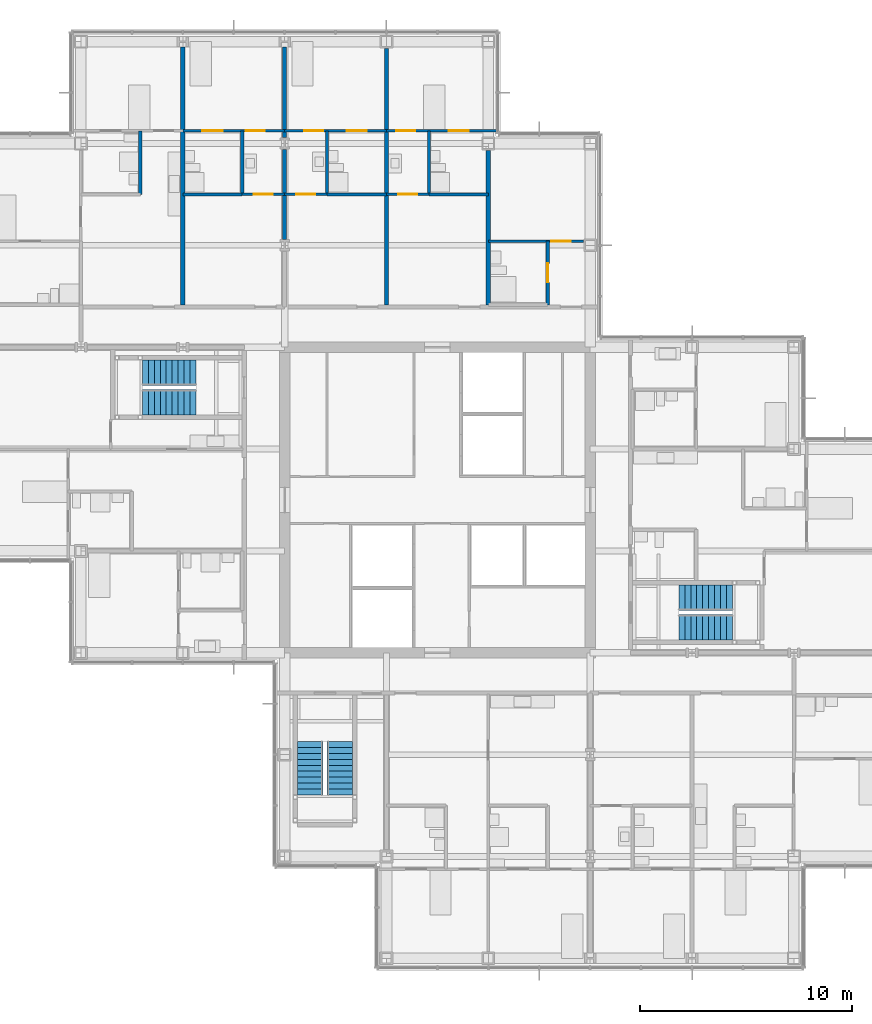
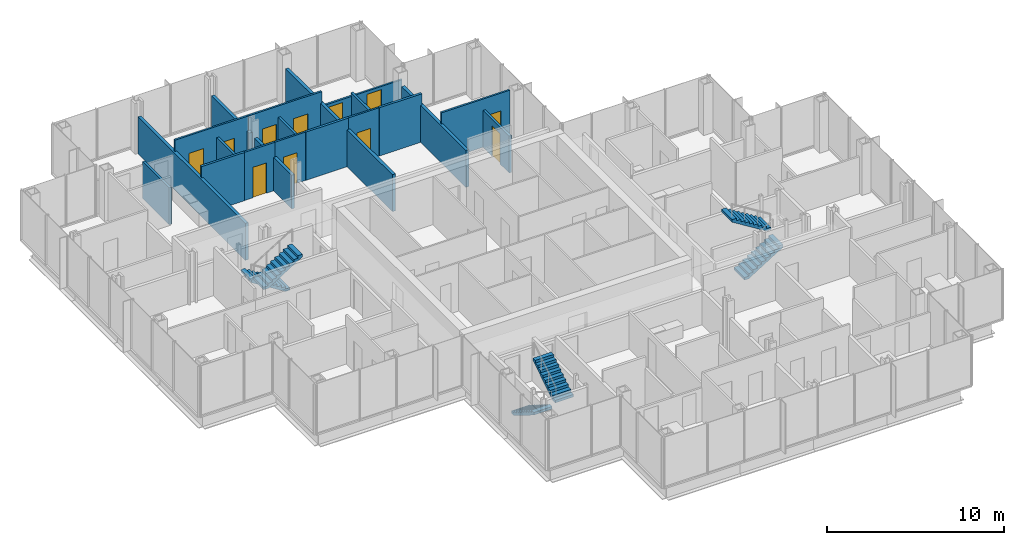
# One storey, part 17 of 20: 20 walls, 11 doors, 6 stair flights, 11 openings, 3 elements without a shape of their own.
"""IFC4 building model written with IfcOpenShell, lengths in metres."""

from ifc_helpers import new_model, si_unit, direction, frame, frame_2d, origin, place, context, subcontext, project, spatial, polyline, rectangle, outline, extrude, material, layer, layer_set, type_object, element, fill, aggregate, save


model = new_model("IFC4")

# Units and contexts
model_context = context("Model", 3, precision=1e-05, world=origin(), true_north=direction((0.0, 1.0)))
body_context = subcontext(model_context, "Body", "Model", "MODEL_VIEW")
ifc_project = project(units=[si_unit("LENGTHUNIT", "METRE"), si_unit("AREAUNIT", "SQUARE_METRE"), si_unit("VOLUMEUNIT", "CUBIC_METRE"), si_unit("PLANEANGLEUNIT", "RADIAN"), si_unit("MASSUNIT", "GRAM", prefix="KILO")], contexts=[model_context])

# Site, building, storey
site_placement = place(None, origin())
site = spatial("IfcSite", under=ifc_project, at=site_placement, CompositionType="ELEMENT")
building_placement = place(site_placement, origin())
building = spatial("IfcBuilding", under=site, at=building_placement, Name="Kvirike Care Tower", CompositionType="ELEMENT")
storey_placement = place(building_placement, frame((0.0, 0.0, 115.5)))
storey = spatial("IfcBuildingStorey", under=building, at=storey_placement, Name="L31", CompositionType="ELEMENT", Elevation=115.5)

# Walls
ifc_material_1 = material(Name="Moisture-resistant board partition", Category="gypsum")
ifc_layer_1 = layer(ifc_material_1, 0.14990234375)
ifc_layer_set_1 = layer_set([ifc_layer_1], Name="BATHROOM WALL 150")
wall_type_1 = type_object("IfcWallType", Name="BATHROOM WALL 150", PredefinedType="PARTITIONING", material=ifc_layer_set_1)
wall_1_placement = place(storey_placement, frame((12.39990234375, 53.39990234375, 0.0), z_axis=(0.0, 0.0, 1.0), x_axis=(0.0, -1.0, 0.0)))
element("IfcWall", 1, at=wall_1_placement, inside=storey, type_object=wall_type_1, Name="Bathroom Wall 150 L31", PredefinedType="PARTITIONING", context=body_context, shape_type="SweptSolid", body=[
    extrude(rectangle(XDim=3.0, YDim=0.14990234375, at=frame_2d((1.5, 0.0))), origin(), (0.0, 0.0, 1.0), 2.550048828125),
])
wall_2_placement = place(storey_placement, frame((12.39990234375, 50.39990234375, 0.0), z_axis=(0.0, 0.0, 1.0), x_axis=(-1.0, 0.0, 0.0)))
element("IfcWall", 2, at=wall_2_placement, inside=storey, type_object=wall_type_1, Name="Bathroom Wall 150 L31", PredefinedType="PARTITIONING", context=body_context, shape_type="SweptSolid", body=[
    extrude(rectangle(XDim=2.7998046875, YDim=0.14990234375, at=frame_2d((1.39990234375, 0.0))), origin(), (0.0, 0.0, 1.0), 3.330078125),
])
wall_3_placement = place(storey_placement, frame((7.60009765625, 53.39990234375, 0.0), z_axis=(0.0, 0.0, 1.0), x_axis=(0.0, -1.0, 0.0)))
element("IfcWall", 3, at=wall_3_placement, inside=storey, type_object=wall_type_1, Name="Bathroom Wall 150 L31", PredefinedType="PARTITIONING", context=body_context, shape_type="SweptSolid", body=[
    extrude(rectangle(XDim=3.0, YDim=0.14990234375, at=frame_2d((1.5, 0.0))), origin(), (0.0, 0.0, 1.0), 2.550048828125),
])

# Wall, opening, door
wall_4_placement = place(storey_placement, frame((26.800048828125, 48.199951171875, 0.0), z_axis=(0.0, 0.0, 1.0), x_axis=(0.0, -1.0, 0.0)))
wall_4 = element("IfcWall", 4, at=wall_4_placement, inside=storey, type_object=wall_type_1, Name="Bathroom Wall 150 L31", PredefinedType="PARTITIONING", context=body_context, shape_type="SweptSolid", body=[
    extrude(rectangle(XDim=3.0, YDim=0.14990234375, at=frame_2d((1.5, 0.0))), origin(), (0.0, 0.0, 1.0), 2.550048828125),
])
opening_1_placement = place(wall_4_placement, frame((1.050048828125, 0.0, 0.0)))
opening_1 = element("IfcOpeningElement", 5, at=opening_1_placement, cuts=wall_4, Name="Opening 31-027", PredefinedType="OPENING", context=body_context, shape_type="SweptSolid", body=[
    extrude(rectangle(XDim=0.89990234375, YDim=2.10009765625, at=frame_2d((0.449951171875, 1.050048828125))), frame((0.0, 0.08544921875, 0.0), z_axis=(0.0, -1.0, 0.0), x_axis=(1.0, 0.0, 0.0)), (0.0, 0.0, 1.0), 0.1708984375),
])
ifc_material_2 = material(Name="Timber door set", Category="wood")
door_type_1 = type_object("IfcDoorType", Name="BATHROOM DOOR 900", OperationType="SINGLE_SWING_RIGHT", PredefinedType="DOOR", material=ifc_material_2)
door_1_placement = place(opening_1_placement, origin())
door_1 = element("IfcDoor", 6, at=door_1_placement, inside=storey, type_object=door_type_1, Name="Assisted bathroom door", OperationType="SINGLE_SWING_LEFT", OverallHeight=2.10009765625, OverallWidth=0.89990234375, PredefinedType="DOOR", context=body_context, shape_type="SweptSolid", body=[
    extrude(rectangle(XDim=0.89990234375, YDim=2.10009765625, at=frame_2d((0.449951171875, 1.050048828125))), frame((0.0, 0.02197265625, 0.0), z_axis=(0.0, -1.0, 0.0), x_axis=(1.0, 0.0, 0.0)), (0.0, 0.0, 1.0), 0.0439453125),
])
fill(opening_1, door_1)

# Walls
wall_5_placement = place(storey_placement, frame((21.199951171875, 53.39990234375, 0.0), z_axis=(0.0, 0.0, 1.0), x_axis=(0.0, -1.0, 0.0)))
element("IfcWall", 7, at=wall_5_placement, inside=storey, type_object=wall_type_1, Name="Bathroom Wall 150 L31", PredefinedType="PARTITIONING", context=body_context, shape_type="SweptSolid", body=[
    extrude(rectangle(XDim=3.0, YDim=0.14990234375, at=frame_2d((1.5, 0.0))), origin(), (0.0, 0.0, 1.0), 2.550048828125),
])
wall_6_placement = place(storey_placement, frame((24.0, 50.39990234375, 0.0), z_axis=(0.0, 0.0, 1.0), x_axis=(-1.0, 0.0, 0.0)))
element("IfcWall", 8, at=wall_6_placement, inside=storey, type_object=wall_type_1, Name="Bathroom Wall 150 L31", PredefinedType="PARTITIONING", context=body_context, shape_type="SweptSolid", body=[
    extrude(rectangle(XDim=2.800048828125, YDim=0.14990234375, at=frame_2d((1.39990234375, 0.0))), origin(), (0.0, 0.0, 1.0), 3.330078125),
])
wall_7_placement = place(storey_placement, frame((16.39990234375, 53.39990234375, 0.0), z_axis=(0.0, 0.0, 1.0), x_axis=(0.0, -1.0, 0.0)))
element("IfcWall", 9, at=wall_7_placement, inside=storey, type_object=wall_type_1, Name="Bathroom Wall 150 L31", PredefinedType="PARTITIONING", context=body_context, shape_type="SweptSolid", body=[
    extrude(rectangle(XDim=3.0, YDim=0.14990234375, at=frame_2d((1.5, 0.0))), origin(), (0.0, 0.0, 1.0), 2.550048828125),
])
wall_8_placement = place(storey_placement, frame((19.199951171875, 50.39990234375, 0.0), z_axis=(0.0, 0.0, 1.0), x_axis=(-1.0, 0.0, 0.0)))
element("IfcWall", 10, at=wall_8_placement, inside=storey, type_object=wall_type_1, Name="Bathroom Wall 150 L31", PredefinedType="PARTITIONING", context=body_context, shape_type="SweptSolid", body=[
    extrude(rectangle(XDim=2.800048828125, YDim=0.14990234375, at=frame_2d((1.39990234375, 0.0))), origin(), (0.0, 0.0, 1.0), 3.330078125),
])

# Wall, opening, door
ifc_material_3 = material(Name="Plasterboard partition", Category="gypsum")
ifc_layer_2 = layer(ifc_material_3, 0.1201171875)
ifc_layer_set_2 = layer_set([ifc_layer_2], Name="PARTITION 120")
wall_type_2 = type_object("IfcWallType", Name="PARTITION 120", PredefinedType="PARTITIONING", material=ifc_layer_set_2)
wall_9_placement = place(storey_placement, frame((14.39990234375, 50.39990234375, 0.0), z_axis=(0.0, 0.0, 1.0), x_axis=(-1.0, 0.0, 0.0)))
wall_9 = element("IfcWall", 11, at=wall_9_placement, inside=storey, type_object=wall_type_2, Name="Partition 120 L31", PredefinedType="PARTITIONING", context=body_context, shape_type="SweptSolid", body=[
    extrude(rectangle(XDim=2.0, YDim=0.1201171875, at=frame_2d((1.0, 0.0))), origin(), (0.0, 0.0, 1.0), 3.330078125),
])
opening_2_placement = place(wall_9_placement, frame((0.550048828125, 0.0, 0.0)))
opening_2 = element("IfcOpeningElement", 12, at=opening_2_placement, cuts=wall_9, Name="Opening 31-010", PredefinedType="OPENING", context=body_context, shape_type="SweptSolid", body=[
    extrude(rectangle(XDim=0.89990234375, YDim=2.10009765625, at=frame_2d((0.449951171875, 1.050048828125))), frame((0.0, 0.070556640625, 0.0), z_axis=(0.0, -1.0, 0.0), x_axis=(1.0, 0.0, 0.0)), (0.0, 0.0, 1.0), 0.14111328125),
])
ifc_material_4 = material(Name="Timber door set", Category="wood")
door_type_2 = type_object("IfcDoorType", Name="INTERNAL DOOR 900", OperationType="SINGLE_SWING_LEFT", PredefinedType="DOOR", material=ifc_material_4)
door_2_placement = place(opening_2_placement, frame((0.89990234375, 0.0, 0.0), z_axis=(0.0, 0.0, 1.0), x_axis=(-1.0, 0.0, 0.0)))
door_2 = element("IfcDoor", 13, at=door_2_placement, inside=storey, type_object=door_type_2, Name="Kitchen door", OperationType="SINGLE_SWING_RIGHT", OverallHeight=2.10009765625, OverallWidth=0.89990234375, PredefinedType="DOOR", context=body_context, shape_type="SweptSolid", body=[
    extrude(rectangle(XDim=0.89990234375, YDim=2.10009765625, at=frame_2d((0.449951171875, 1.050048828125))), frame((0.0, 0.02197265625, 0.0), z_axis=(0.0, -1.0, 0.0), x_axis=(1.0, 0.0, 0.0)), (0.0, 0.0, 1.0), 0.0439453125),
])
fill(opening_2, door_2)

# Wall, openings, doors
wall_10_placement = place(storey_placement, frame((14.39990234375, 53.39990234375, 0.0), z_axis=(0.0, 0.0, 1.0), x_axis=(-1.0, 0.0, 0.0)))
wall_10 = element("IfcWall", 14, at=wall_10_placement, inside=storey, type_object=wall_type_2, Name="Partition 120 L31", PredefinedType="PARTITIONING", context=body_context, shape_type="SweptSolid", body=[
    extrude(rectangle(XDim=4.7998046875, YDim=0.1201171875, at=frame_2d((2.39990234375, 0.0))), origin(), (0.0, 0.0, 1.0), 3.330078125),
])
opening_3_placement = place(wall_10_placement, frame((0.925048828125, 0.0, 0.0)))
opening_3 = element("IfcOpeningElement", 15, at=opening_3_placement, cuts=wall_10, Name="Opening 31-011", PredefinedType="OPENING", context=body_context, shape_type="SweptSolid", body=[
    extrude(rectangle(XDim=0.89990234375, YDim=2.10009765625, at=frame_2d((0.449951171875, 1.050048828125))), frame((0.0, 0.070556640625, 0.0), z_axis=(0.0, -1.0, 0.0), x_axis=(1.0, 0.0, 0.0)), (0.0, 0.0, 1.0), 0.14111328125),
])
opening_4_placement = place(wall_10_placement, frame((2.925048828125, 0.0, 0.0)))
opening_4 = element("IfcOpeningElement", 16, at=opening_4_placement, cuts=wall_10, Name="Opening 31-012", PredefinedType="OPENING", context=body_context, shape_type="SweptSolid", body=[
    extrude(rectangle(XDim=0.949951171875, YDim=2.10009765625, at=frame_2d((0.47509765625, 1.050048828125))), frame((0.0, 0.070556640625, 0.0), z_axis=(0.0, -1.0, 0.0), x_axis=(1.0, 0.0, 0.0)), (0.0, 0.0, 1.0), 0.14111328125),
])
ifc_material_5 = material(Name="Timber door set", Category="wood")
door_type_3 = type_object("IfcDoorType", Name="EN-SUITE SLIDING DOOR 950", OperationType="SLIDING_TO_LEFT", PredefinedType="DOOR", material=ifc_material_5)
door_3_placement = place(opening_4_placement, origin())
door_3 = element("IfcDoor", 17, at=door_3_placement, inside=storey, type_object=door_type_3, Name="En-suite door", OperationType="SLIDING_TO_LEFT", OverallHeight=2.10009765625, OverallWidth=0.949951171875, PredefinedType="DOOR", context=body_context, shape_type="SweptSolid", body=[
    extrude(rectangle(XDim=0.949951171875, YDim=2.10009765625, at=frame_2d((0.47509765625, 1.050048828125))), frame((0.0, 0.02197265625, 0.0), z_axis=(0.0, -1.0, 0.0), x_axis=(1.0, 0.0, 0.0)), (0.0, 0.0, 1.0), 0.0439453125),
])
fill(opening_4, door_3)
door_4_placement = place(opening_3_placement, origin())
door_4 = element("IfcDoor", 18, at=door_4_placement, inside=storey, type_object=door_type_2, Name="Assisted living suite door", OperationType="SINGLE_SWING_LEFT", OverallHeight=2.10009765625, OverallWidth=0.89990234375, PredefinedType="DOOR", context=body_context, shape_type="SweptSolid", body=[
    extrude(rectangle(XDim=0.89990234375, YDim=2.10009765625, at=frame_2d((0.449951171875, 1.050048828125))), frame((0.0, 0.02197265625, 0.0), z_axis=(0.0, -1.0, 0.0), x_axis=(1.0, 0.0, 0.0)), (0.0, 0.0, 1.0), 0.0439453125),
])
fill(opening_3, door_4)

# Wall, opening, door
wall_11_placement = place(storey_placement, frame((28.47998046875, 48.199951171875, 0.0), z_axis=(0.0, 0.0, 1.0), x_axis=(-1.0, 0.0, 0.0)))
wall_11 = element("IfcWall", 19, at=wall_11_placement, inside=storey, type_object=wall_type_2, Name="Partition 120 L31", PredefinedType="PARTITIONING", context=body_context, shape_type="SweptSolid", body=[
    extrude(rectangle(XDim=4.47998046875, YDim=0.1201171875, at=frame_2d((2.239990234375, 0.0))), origin(), (0.0, 0.0, 1.0), 3.330078125),
])
opening_5_placement = place(wall_11_placement, frame((0.60498046875, 0.0, 0.0)))
opening_5 = element("IfcOpeningElement", 20, at=opening_5_placement, cuts=wall_11, Name="Opening 31-028", PredefinedType="OPENING", context=body_context, shape_type="SweptSolid", body=[
    extrude(rectangle(XDim=0.89990234375, YDim=2.10009765625, at=frame_2d((0.449951171875, 1.050048828125))), frame((0.0, 0.070556640625, 0.0), z_axis=(0.0, -1.0, 0.0), x_axis=(1.0, 0.0, 0.0)), (0.0, 0.0, 1.0), 0.14111328125),
])
door_5_placement = place(opening_5_placement, origin())
door_5 = element("IfcDoor", 21, at=door_5_placement, inside=storey, type_object=door_type_2, Name="Care lounge door", OperationType="SINGLE_SWING_LEFT", OverallHeight=2.10009765625, OverallWidth=0.89990234375, PredefinedType="DOOR", context=body_context, shape_type="SweptSolid", body=[
    extrude(rectangle(XDim=0.89990234375, YDim=2.10009765625, at=frame_2d((0.449951171875, 1.050048828125))), frame((0.0, 0.02197265625, 0.0), z_axis=(0.0, -1.0, 0.0), x_axis=(1.0, 0.0, 0.0)), (0.0, 0.0, 1.0), 0.0439453125),
])
fill(opening_5, door_5)

wall_12_placement = place(storey_placement, frame((21.199951171875, 50.39990234375, 0.0), z_axis=(0.0, 0.0, 1.0), x_axis=(-1.0, 0.0, 0.0)))
wall_12 = element("IfcWall", 22, at=wall_12_placement, inside=storey, type_object=wall_type_2, Name="Partition 120 L31", PredefinedType="PARTITIONING", context=body_context, shape_type="SweptSolid", body=[
    extrude(rectangle(XDim=2.0, YDim=0.1201171875, at=frame_2d((1.0, 0.0))), origin(), (0.0, 0.0, 1.0), 3.330078125),
])
opening_6_placement = place(wall_12_placement, frame((0.550048828125, 0.0, 0.0)))
opening_6 = element("IfcOpeningElement", 23, at=opening_6_placement, cuts=wall_12, Name="Opening 31-029", PredefinedType="OPENING", context=body_context, shape_type="SweptSolid", body=[
    extrude(rectangle(XDim=0.89990234375, YDim=2.10009765625, at=frame_2d((0.449951171875, 1.050048828125))), frame((0.0, 0.070556640625, 0.0), z_axis=(0.0, -1.0, 0.0), x_axis=(1.0, 0.0, 0.0)), (0.0, 0.0, 1.0), 0.14111328125),
])
door_6_placement = place(opening_6_placement, frame((0.89990234375, 0.0, 0.0), z_axis=(0.0, 0.0, 1.0), x_axis=(-1.0, 0.0, 0.0)))
door_6 = element("IfcDoor", 24, at=door_6_placement, inside=storey, type_object=door_type_2, Name="Kitchen door", OperationType="SINGLE_SWING_RIGHT", OverallHeight=2.10009765625, OverallWidth=0.89990234375, PredefinedType="DOOR", context=body_context, shape_type="SweptSolid", body=[
    extrude(rectangle(XDim=0.89990234375, YDim=2.10009765625, at=frame_2d((0.449951171875, 1.050048828125))), frame((0.0, 0.02197265625, 0.0), z_axis=(0.0, -1.0, 0.0), x_axis=(1.0, 0.0, 0.0)), (0.0, 0.0, 1.0), 0.0439453125),
])
fill(opening_6, door_6)

# Wall, openings, doors
wall_13_placement = place(storey_placement, frame((24.43994140625, 53.39990234375, 0.0), z_axis=(0.0, 0.0, 1.0), x_axis=(-1.0, 0.0, 0.0)))
wall_13 = element("IfcWall", 25, at=wall_13_placement, inside=storey, type_object=wall_type_2, Name="Partition 120 L31", PredefinedType="PARTITIONING", context=body_context, shape_type="SweptSolid", body=[
    extrude(rectangle(XDim=5.239990234375, YDim=0.1201171875, at=frame_2d((2.6201171875, 0.0))), origin(), (0.0, 0.0, 1.0), 2.320068359375),
])
opening_7_placement = place(wall_13_placement, frame((3.889892578125, 0.0, 0.0)))
opening_7 = element("IfcOpeningElement", 26, at=opening_7_placement, cuts=wall_13, Name="Opening 31-030", PredefinedType="OPENING", context=body_context, shape_type="SweptSolid", body=[
    extrude(rectangle(XDim=0.89990234375, YDim=2.10009765625, at=frame_2d((0.449951171875, 1.050048828125))), frame((0.0, 0.070556640625, 0.0), z_axis=(0.0, -1.0, 0.0), x_axis=(1.0, 0.0, 0.0)), (0.0, 0.0, 1.0), 0.14111328125),
])
opening_8_placement = place(wall_13_placement, frame((1.364990234375, 0.0, 0.0)))
opening_8 = element("IfcOpeningElement", 27, at=opening_8_placement, cuts=wall_13, Name="Opening 31-031", PredefinedType="OPENING", context=body_context, shape_type="SweptSolid", body=[
    extrude(rectangle(XDim=0.949951171875, YDim=2.10009765625, at=frame_2d((0.47509765625, 1.050048828125))), frame((0.0, 0.070556640625, 0.0), z_axis=(0.0, -1.0, 0.0), x_axis=(1.0, 0.0, 0.0)), (0.0, 0.0, 1.0), 0.14111328125),
])
door_7_placement = place(opening_8_placement, origin())
door_7 = element("IfcDoor", 28, at=door_7_placement, inside=storey, type_object=door_type_3, Name="En-suite door", OperationType="SLIDING_TO_LEFT", OverallHeight=2.10009765625, OverallWidth=0.949951171875, PredefinedType="DOOR", context=body_context, shape_type="SweptSolid", body=[
    extrude(rectangle(XDim=0.949951171875, YDim=2.10009765625, at=frame_2d((0.47509765625, 1.050048828125))), frame((0.0, 0.02197265625, 0.0), z_axis=(0.0, -1.0, 0.0), x_axis=(1.0, 0.0, 0.0)), (0.0, 0.0, 1.0), 0.0439453125),
])
fill(opening_8, door_7)
door_8_placement = place(opening_7_placement, origin())
door_8 = element("IfcDoor", 29, at=door_8_placement, inside=storey, type_object=door_type_2, Name="Assisted living suite door", OperationType="SINGLE_SWING_LEFT", OverallHeight=2.10009765625, OverallWidth=0.89990234375, PredefinedType="DOOR", context=body_context, shape_type="SweptSolid", body=[
    extrude(rectangle(XDim=0.89990234375, YDim=2.10009765625, at=frame_2d((0.449951171875, 1.050048828125))), frame((0.0, 0.02197265625, 0.0), z_axis=(0.0, -1.0, 0.0), x_axis=(1.0, 0.0, 0.0)), (0.0, 0.0, 1.0), 0.0439453125),
])
fill(opening_7, door_8)

# Wall, opening, door
wall_14_placement = place(storey_placement, frame((16.39990234375, 50.39990234375, 0.0), z_axis=(0.0, 0.0, 1.0), x_axis=(-1.0, 0.0, 0.0)))
wall_14 = element("IfcWall", 30, at=wall_14_placement, inside=storey, type_object=wall_type_2, Name="Partition 120 L31", PredefinedType="PARTITIONING", context=body_context, shape_type="SweptSolid", body=[
    extrude(rectangle(XDim=2.0, YDim=0.1201171875, at=frame_2d((1.0, 0.0))), origin(), (0.0, 0.0, 1.0), 3.330078125),
])
opening_9_placement = place(wall_14_placement, frame((0.550048828125, 0.0, 0.0)))
opening_9 = element("IfcOpeningElement", 31, at=opening_9_placement, cuts=wall_14, Name="Opening 31-032", PredefinedType="OPENING", context=body_context, shape_type="SweptSolid", body=[
    extrude(rectangle(XDim=0.89990234375, YDim=2.10009765625, at=frame_2d((0.449951171875, 1.050048828125))), frame((0.0, 0.070556640625, 0.0), z_axis=(0.0, -1.0, 0.0), x_axis=(1.0, 0.0, 0.0)), (0.0, 0.0, 1.0), 0.14111328125),
])
door_9_placement = place(opening_9_placement, frame((0.89990234375, 0.0, 0.0), z_axis=(0.0, 0.0, 1.0), x_axis=(-1.0, 0.0, 0.0)))
door_9 = element("IfcDoor", 32, at=door_9_placement, inside=storey, type_object=door_type_2, Name="Kitchen door", OperationType="SINGLE_SWING_RIGHT", OverallHeight=2.10009765625, OverallWidth=0.89990234375, PredefinedType="DOOR", context=body_context, shape_type="SweptSolid", body=[
    extrude(rectangle(XDim=0.89990234375, YDim=2.10009765625, at=frame_2d((0.449951171875, 1.050048828125))), frame((0.0, 0.02197265625, 0.0), z_axis=(0.0, -1.0, 0.0), x_axis=(1.0, 0.0, 0.0)), (0.0, 0.0, 1.0), 0.0439453125),
])
fill(opening_9, door_9)

# Wall, openings, doors
wall_15_placement = place(storey_placement, frame((19.199951171875, 53.39990234375, 0.0), z_axis=(0.0, 0.0, 1.0), x_axis=(-1.0, 0.0, 0.0)))
wall_15 = element("IfcWall", 33, at=wall_15_placement, inside=storey, type_object=wall_type_2, Name="Partition 120 L31", PredefinedType="PARTITIONING", context=body_context, shape_type="SweptSolid", body=[
    extrude(rectangle(XDim=4.800048828125, YDim=0.1201171875, at=frame_2d((2.39990234375, 0.0))), origin(), (0.0, 0.0, 1.0), 3.330078125),
])
opening_10_placement = place(wall_15_placement, frame((2.97509765625, 0.0, 0.0)))
opening_10 = element("IfcOpeningElement", 34, at=opening_10_placement, cuts=wall_15, Name="Opening 31-033", PredefinedType="OPENING", context=body_context, shape_type="SweptSolid", body=[
    extrude(rectangle(XDim=0.89990234375, YDim=2.10009765625, at=frame_2d((0.449951171875, 1.050048828125))), frame((0.0, 0.070556640625, 0.0), z_axis=(0.0, -1.0, 0.0), x_axis=(1.0, 0.0, 0.0)), (0.0, 0.0, 1.0), 0.14111328125),
])
opening_11_placement = place(wall_15_placement, frame((0.925048828125, 0.0, 0.0)))
opening_11 = element("IfcOpeningElement", 35, at=opening_11_placement, cuts=wall_15, Name="Opening 31-034", PredefinedType="OPENING", context=body_context, shape_type="SweptSolid", body=[
    extrude(rectangle(XDim=0.949951171875, YDim=2.10009765625, at=frame_2d((0.47509765625, 1.050048828125))), frame((0.0, 0.070556640625, 0.0), z_axis=(0.0, -1.0, 0.0), x_axis=(1.0, 0.0, 0.0)), (0.0, 0.0, 1.0), 0.14111328125),
])
door_10_placement = place(opening_11_placement, origin())
door_10 = element("IfcDoor", 36, at=door_10_placement, inside=storey, type_object=door_type_3, Name="En-suite door", OperationType="SLIDING_TO_LEFT", OverallHeight=2.10009765625, OverallWidth=0.949951171875, PredefinedType="DOOR", context=body_context, shape_type="SweptSolid", body=[
    extrude(rectangle(XDim=0.949951171875, YDim=2.10009765625, at=frame_2d((0.47509765625, 1.050048828125))), frame((0.0, 0.02197265625, 0.0), z_axis=(0.0, -1.0, 0.0), x_axis=(1.0, 0.0, 0.0)), (0.0, 0.0, 1.0), 0.0439453125),
])
fill(opening_11, door_10)
door_11_placement = place(opening_10_placement, origin())
door_11 = element("IfcDoor", 37, at=door_11_placement, inside=storey, type_object=door_type_2, Name="Assisted living suite door", OperationType="SINGLE_SWING_RIGHT", OverallHeight=2.10009765625, OverallWidth=0.89990234375, PredefinedType="DOOR", context=body_context, shape_type="SweptSolid", body=[
    extrude(rectangle(XDim=0.89990234375, YDim=2.10009765625, at=frame_2d((0.449951171875, 1.050048828125))), frame((0.0, 0.02197265625, 0.0), z_axis=(0.0, -1.0, 0.0), x_axis=(1.0, 0.0, 0.0)), (0.0, 0.0, 1.0), 0.0439453125),
])
fill(opening_10, door_11)

# Walls
ifc_material_6 = material(Name="Plasterboard party wall", Category="gypsum")
ifc_layer_3 = layer(ifc_material_6, 0.199951171875)
ifc_layer_set_3 = layer_set([ifc_layer_3], Name="PARTY WALL 200")
wall_type_3 = type_object("IfcWallType", Name="PARTY WALL 200", PredefinedType="PARTITIONING", material=ifc_layer_set_3)
wall_16_placement = place(storey_placement, frame((9.60009765625, 57.35595703125, 0.0), z_axis=(0.0, 0.0, 1.0), x_axis=(0.0, -1.0, 0.0)))
element("IfcWall", 38, at=wall_16_placement, inside=storey, type_object=wall_type_3, Name="Party Wall 200 L31", PredefinedType="PARTITIONING", context=body_context, shape_type="SweptSolid", body=[
    extrude(rectangle(XDim=12.156005859375, YDim=0.199951171875, at=frame_2d((6.078125, 0.0))), origin(), (0.0, 0.0, 1.0), 2.550048828125),
])
wall_17_placement = place(storey_placement, frame((24.0, 52.47998046875, 0.0), z_axis=(0.0, 0.0, 1.0), x_axis=(0.0, -1.0, 0.0)))
element("IfcWall", 39, at=wall_17_placement, inside=storey, type_object=wall_type_3, Name="Party Wall 200 L31", PredefinedType="PARTITIONING", context=body_context, shape_type="SweptSolid", body=[
    extrude(rectangle(XDim=7.280029296875, YDim=0.199951171875, at=frame_2d((3.64013671875, 0.0))), origin(), (0.0, 0.0, 1.0), 2.550048828125),
])
wall_18_placement = place(storey_placement, frame((19.199951171875, 57.280029296875, 0.0), z_axis=(0.0, 0.0, 1.0), x_axis=(0.0, -1.0, 0.0)))
element("IfcWall", 40, at=wall_18_placement, inside=storey, type_object=wall_type_3, Name="Party Wall 200 L31", PredefinedType="PARTITIONING", context=body_context, shape_type="SweptSolid", body=[
    extrude(rectangle(XDim=12.080078125, YDim=0.199951171875, at=frame_2d((6.0400390625, 0.0))), origin(), (0.0, 0.0, 1.0), 2.550048828125),
])
wall_19_placement = place(storey_placement, frame((14.39990234375, 48.285400390625, 0.0), z_axis=(0.0, 0.0, 1.0), x_axis=(0.0, 1.0, 0.0)))
element("IfcWall", 41, at=wall_19_placement, inside=storey, type_object=wall_type_3, Name="Party Wall 200 L31", PredefinedType="PARTITIONING", context=body_context, shape_type="SweptSolid", body=[
    extrude(rectangle(XDim=4.22900390625, YDim=0.199951171875, at=frame_2d((2.114501953125, 0.0))), origin(), (0.0, 0.0, 1.0), 2.320068359375),
])
wall_20_placement = place(storey_placement, frame((14.39990234375, 53.08544921875, 0.0), z_axis=(0.0, 0.0, 1.0), x_axis=(0.0, 1.0, 0.0)))
element("IfcWall", 42, at=wall_20_placement, inside=storey, type_object=wall_type_3, Name="Party Wall 200 L31", PredefinedType="PARTITIONING", context=body_context, shape_type="SweptSolid", body=[
    extrude(rectangle(XDim=4.2705078125, YDim=0.199951171875, at=frame_2d((2.13525390625, 0.0))), origin(), (0.0, 0.0, 1.0), 2.320068359375),
])

# Stair, stair flights
ifc_material_7 = material(Name="Concrete C35/45", Category="concrete")
stair_type = type_object("IfcStairType", Name="STAIR 20 RISERS", PredefinedType="HALF_TURN_STAIR", material=ifc_material_7)
stair_1_placement = place(storey_placement, origin())
stair_1 = element("IfcStair", 43, at=stair_1_placement, inside=storey, type_object=stair_type, Name="Stair 1 L31", PredefinedType="HALF_TURN_STAIR")
ifc_material_8 = material(Name="Concrete C35/45", Category="concrete")
stair_flight_type = type_object("IfcStairFlightType", Name="FLIGHT 10 RISERS", PredefinedType="STRAIGHT", material=ifc_material_8)
stair_flight_1_placement = place(storey_placement, frame((10.219970703125, 42.0, 0.0), z_axis=(0.0, 0.0, 1.0), x_axis=(-1.0, 0.0, 0.0)))
stair_flight_1 = element("IfcStairFlight", 44, at=stair_flight_1_placement, type_object=stair_flight_type, Name="Stair S1 flight 1 L31-L32", NumberOfRisers=10, NumberOfTreads=9, PredefinedType="STRAIGHT", RiserHeight=0.175, TreadLength=0.28, context=body_context, shape_type="SweptSolid", body=[
    extrude(outline(polyline([(0.0, 0.0), (0.0, 0.175048828125), (0.280029296875, 0.175048828125), (0.280029296875, 0.35009765625), (0.56005859375, 0.35009765625), (0.56005859375, 0.52490234375), (0.840087890625, 0.52490234375), (0.840087890625, 0.699951171875), (1.1201171875, 0.699951171875), (1.1201171875, 0.875), (1.39990234375, 0.875), (1.39990234375, 1.050048828125), (1.679931640625, 1.050048828125), (1.679931640625, 1.22509765625), (1.9599609375, 1.22509765625), (1.9599609375, 1.39990234375), (2.239990234375, 1.39990234375), (2.239990234375, 1.574951171875), (2.52001953125, 1.574951171875), (2.52001953125, 1.75), (2.52001953125, 1.398193359375), (0.28271484375, 0.0), (0.0, 0.0)])), frame((0.0, 0.60009765625, 0.0), z_axis=(0.0, -1.0, 0.0), x_axis=(1.0, 0.0, 0.0)), (0.0, 0.0, 1.0), 1.199951171875),
])
stair_flight_2_placement = place(storey_placement, frame((7.699951171875, 40.60009765625, 1.75), z_axis=(0.0, 0.0, 1.0), x_axis=(1.0, 0.0, 0.0)))
stair_flight_2 = element("IfcStairFlight", 45, at=stair_flight_2_placement, type_object=stair_flight_type, Name="Stair S1 flight 2 L31-L32", NumberOfRisers=10, NumberOfTreads=9, PredefinedType="STRAIGHT", RiserHeight=0.175, TreadLength=0.28, context=body_context, shape_type="SweptSolid", body=[
    extrude(outline(polyline([(0.0, 0.0), (0.0, 0.175048828125), (0.280029296875, 0.175048828125), (0.280029296875, 0.35009765625), (0.56005859375, 0.35009765625), (0.56005859375, 0.52490234375), (0.840087890625, 0.52490234375), (0.840087890625, 0.699951171875), (1.1201171875, 0.699951171875), (1.1201171875, 0.875), (1.39990234375, 0.875), (1.39990234375, 1.050048828125), (1.679931640625, 1.050048828125), (1.679931640625, 1.22509765625), (1.9599609375, 1.22509765625), (1.9599609375, 1.39990234375), (2.239990234375, 1.39990234375), (2.239990234375, 1.574951171875), (2.52001953125, 1.574951171875), (2.52001953125, 1.75), (2.52001953125, 1.398193359375), (0.28271484375, 0.0), (0.0, 0.0)])), frame((0.0, 0.60009765625, 0.0), z_axis=(0.0, -1.0, 0.0), x_axis=(1.0, 0.0, 0.0)), (0.0, 0.0, 1.0), 1.199951171875),
])
aggregate(stair_1, [stair_flight_1, stair_flight_2])

stair_2_placement = place(storey_placement, origin())
stair_2 = element("IfcStair", 46, at=stair_2_placement, inside=storey, type_object=stair_type, Name="Stair 2 L31", PredefinedType="HALF_TURN_STAIR")
stair_flight_3_placement = place(storey_placement, frame((32.97998046875, 30.0, 0.0), z_axis=(0.0, 0.0, 1.0), x_axis=(1.0, 0.0, 0.0)))
stair_flight_3 = element("IfcStairFlight", 47, at=stair_flight_3_placement, type_object=stair_flight_type, Name="Stair S2 flight 1 L31-L32", NumberOfRisers=10, NumberOfTreads=9, PredefinedType="STRAIGHT", RiserHeight=0.175, TreadLength=0.28, context=body_context, shape_type="SweptSolid", body=[
    extrude(outline(polyline([(0.0, 0.0), (0.0, 0.175048828125), (0.280029296875, 0.175048828125), (0.280029296875, 0.35009765625), (0.56005859375, 0.35009765625), (0.56005859375, 0.52490234375), (0.840087890625, 0.52490234375), (0.840087890625, 0.699951171875), (1.1201171875, 0.699951171875), (1.1201171875, 0.875), (1.39990234375, 0.875), (1.39990234375, 1.050048828125), (1.679931640625, 1.050048828125), (1.679931640625, 1.22509765625), (1.9599609375, 1.22509765625), (1.9599609375, 1.39990234375), (2.239990234375, 1.39990234375), (2.239990234375, 1.574951171875), (2.52001953125, 1.574951171875), (2.52001953125, 1.75), (2.52001953125, 1.398193359375), (0.28271484375, 0.0), (0.0, 0.0)])), frame((0.0, 0.60009765625, 0.0), z_axis=(0.0, -1.0, 0.0), x_axis=(1.0, 0.0, 0.0)), (0.0, 0.0, 1.0), 1.199951171875),
])
stair_flight_4_placement = place(storey_placement, frame((35.5, 31.39990234375, 1.75), z_axis=(0.0, 0.0, 1.0), x_axis=(-1.0, 0.0, 0.0)))
stair_flight_4 = element("IfcStairFlight", 48, at=stair_flight_4_placement, type_object=stair_flight_type, Name="Stair S2 flight 2 L31-L32", NumberOfRisers=10, NumberOfTreads=9, PredefinedType="STRAIGHT", RiserHeight=0.175, TreadLength=0.28, context=body_context, shape_type="SweptSolid", body=[
    extrude(outline(polyline([(0.0, 0.0), (0.0, 0.175048828125), (0.280029296875, 0.175048828125), (0.280029296875, 0.35009765625), (0.56005859375, 0.35009765625), (0.56005859375, 0.52490234375), (0.840087890625, 0.52490234375), (0.840087890625, 0.699951171875), (1.1201171875, 0.699951171875), (1.1201171875, 0.875), (1.39990234375, 0.875), (1.39990234375, 1.050048828125), (1.679931640625, 1.050048828125), (1.679931640625, 1.22509765625), (1.9599609375, 1.22509765625), (1.9599609375, 1.39990234375), (2.239990234375, 1.39990234375), (2.239990234375, 1.574951171875), (2.52001953125, 1.574951171875), (2.52001953125, 1.75), (2.52001953125, 1.398193359375), (0.28271484375, 0.0), (0.0, 0.0)])), frame((0.0, 0.60009765625, 0.0), z_axis=(0.0, -1.0, 0.0), x_axis=(1.0, 0.0, 0.0)), (0.0, 0.0, 1.0), 1.199951171875),
])
aggregate(stair_2, [stair_flight_3, stair_flight_4])

stair_3_placement = place(storey_placement, origin())
stair_3 = element("IfcStair", 49, at=stair_3_placement, inside=storey, type_object=stair_type, Name="Stair 5 L31", PredefinedType="HALF_TURN_STAIR")
stair_flight_5_placement = place(storey_placement, frame((15.60009765625, 24.6201171875, 0.0), z_axis=(0.0, 0.0, 1.0), x_axis=(0.0, -1.0, 0.0)))
stair_flight_5 = element("IfcStairFlight", 50, at=stair_flight_5_placement, type_object=stair_flight_type, Name="Stair S5 flight 1 L31-L32", NumberOfRisers=10, NumberOfTreads=9, PredefinedType="STRAIGHT", RiserHeight=0.175, TreadLength=0.28, context=body_context, shape_type="SweptSolid", body=[
    extrude(outline(polyline([(0.0, 0.0), (0.0, 0.175048828125), (0.280029296875, 0.175048828125), (0.280029296875, 0.35009765625), (0.56005859375, 0.35009765625), (0.56005859375, 0.52490234375), (0.840087890625, 0.52490234375), (0.840087890625, 0.699951171875), (1.1201171875, 0.699951171875), (1.1201171875, 0.875), (1.39990234375, 0.875), (1.39990234375, 1.050048828125), (1.679931640625, 1.050048828125), (1.679931640625, 1.22509765625), (1.9599609375, 1.22509765625), (1.9599609375, 1.39990234375), (2.239990234375, 1.39990234375), (2.239990234375, 1.574951171875), (2.52001953125, 1.574951171875), (2.52001953125, 1.75), (2.52001953125, 1.398193359375), (0.28271484375, 0.0), (0.0, 0.0)])), frame((0.0, 0.60009765625, 0.0), z_axis=(0.0, -1.0, 0.0), x_axis=(1.0, 0.0, 0.0)), (0.0, 0.0, 1.0), 1.199951171875),
])
stair_flight_6_placement = place(storey_placement, frame((17.0, 22.10009765625, 1.75), z_axis=(0.0, 0.0, 1.0), x_axis=(0.0, 1.0, 0.0)))
stair_flight_6 = element("IfcStairFlight", 51, at=stair_flight_6_placement, type_object=stair_flight_type, Name="Stair S5 flight 2 L31-L32", NumberOfRisers=10, NumberOfTreads=9, PredefinedType="STRAIGHT", RiserHeight=0.175, TreadLength=0.28, context=body_context, shape_type="SweptSolid", body=[
    extrude(outline(polyline([(0.0, 0.0), (0.0, 0.175048828125), (0.280029296875, 0.175048828125), (0.280029296875, 0.35009765625), (0.56005859375, 0.35009765625), (0.56005859375, 0.52490234375), (0.840087890625, 0.52490234375), (0.840087890625, 0.699951171875), (1.1201171875, 0.699951171875), (1.1201171875, 0.875), (1.39990234375, 0.875), (1.39990234375, 1.050048828125), (1.679931640625, 1.050048828125), (1.679931640625, 1.22509765625), (1.9599609375, 1.22509765625), (1.9599609375, 1.39990234375), (2.239990234375, 1.39990234375), (2.239990234375, 1.574951171875), (2.52001953125, 1.574951171875), (2.52001953125, 1.75), (2.52001953125, 1.398193359375), (0.28271484375, 0.0), (0.0, 0.0)])), frame((0.0, 0.60009765625, 0.0), z_axis=(0.0, -1.0, 0.0), x_axis=(1.0, 0.0, 0.0)), (0.0, 0.0, 1.0), 1.199951171875),
])
aggregate(stair_3, [stair_flight_5, stair_flight_6])

save(model, "model.ifc")
